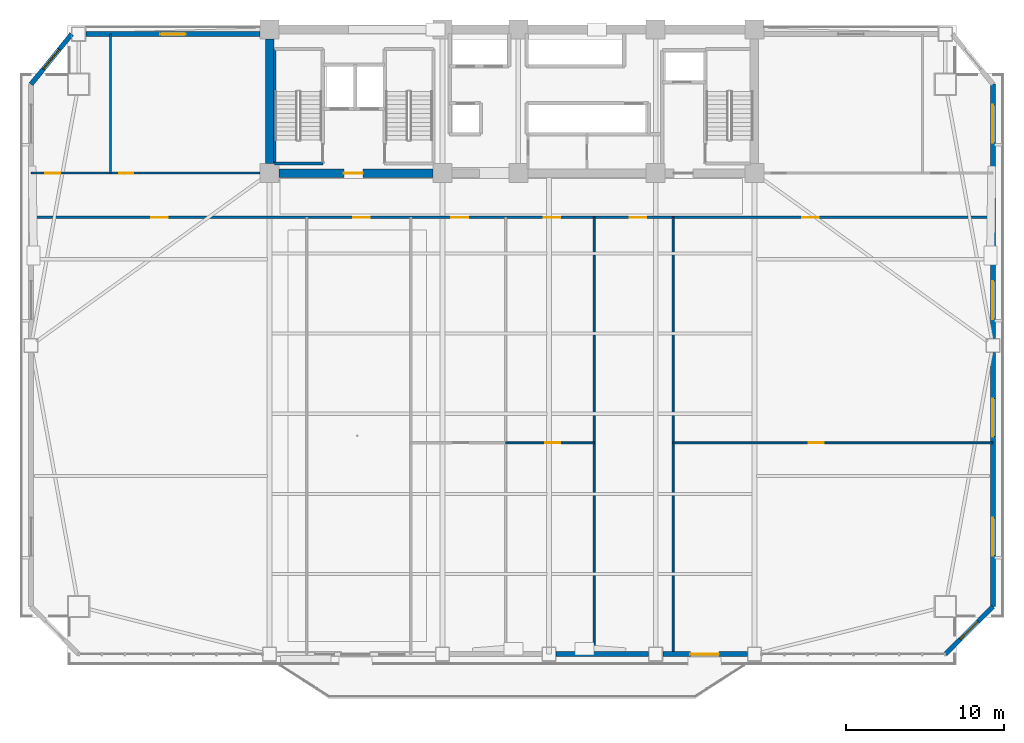
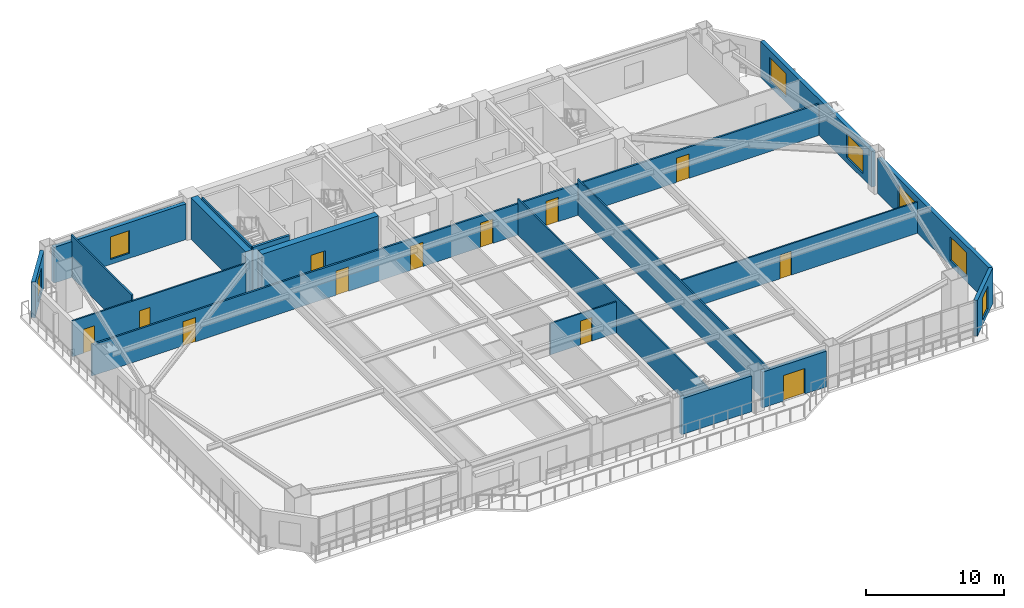
# One storey, part 8 of 15: 18 walls, 12 doors, 7 windows, 19 openings.
"""IFC4 building model written with IfcOpenShell, lengths in metres."""

import ifcopenshell
import ifcopenshell.guid

model = None  # the IFC model being written
_history = None  # IfcOwnerHistory: only IFC2X3 demands one
_inside = {}  # id of a spatial element -> (the spatial element, [elements in it])
_under = {}  # id of a project, library or spatial element -> (it, [spatial elements below it])
_declared = {}  # id of a project -> (the project, [libraries it declares])
_typed = {}  # id of a type object -> (the type object, [elements of that type])
_made_of = {}  # id of a material, layer set ... -> (it, [elements and type objects made of it])


def new_model(schema):
    """Start an empty IFC model of exactly this schema.

    Asked for "IFC4X3", IfcOpenShell would pick the latest addendum, in which some entities
    have other attributes; the version numbers below select the first issue.
    IFC2X3 requires an IfcOwnerHistory on every rooted entity: one is made here for all.
    """
    global model, _history
    if schema == "IFC4X3":
        model = ifcopenshell.file(schema_version=(4, 3, 0, 0))
    else:
        model = ifcopenshell.file(schema=schema)
    _inside.clear()
    _under.clear()
    _declared.clear()
    _typed.clear()
    _made_of.clear()
    _history = None
    if model.schema == "IFC2X3":
        org = make("IfcOrganization", Name="unknown")
        user = make(
            "IfcPersonAndOrganization",
            ThePerson=make("IfcPerson", FamilyName="unknown"),
            TheOrganization=org,
        )
        app = make(
            "IfcApplication",
            ApplicationDeveloper=org,
            Version="unknown",
            ApplicationFullName="unknown",
            ApplicationIdentifier="unknown",
        )
        _history = make(
            "IfcOwnerHistory",
            OwningUser=user,
            OwningApplication=app,
            ChangeAction="ADDED",
            CreationDate=0,
        )
    return model


def make(cls, **values):
    """One entity of the class cls with the attributes given. An attribute that is None is left unset."""
    return model.create_entity(
        cls, **{name: value for name, value in values.items() if value is not None}
    )


def rooted(cls, **values):
    """An entity with a GlobalId (a new one), such as an element, a storey or a relation."""
    return make(cls, GlobalId=ifcopenshell.guid.new(), OwnerHistory=_history, **values)


def si_unit(unit_type, name, prefix=None):
    """IfcSIUnit, for example si_unit("LENGTHUNIT", "METRE", prefix="MILLI")."""
    return make("IfcSIUnit", UnitType=unit_type, Prefix=prefix, Name=name)


def assignment(units):
    """IfcUnitAssignment: the units of a project."""
    return None if units is None else make("IfcUnitAssignment", Units=units)


def point(xyz):
    """IfcCartesianPoint."""
    return None if xyz is None else make("IfcCartesianPoint", Coordinates=xyz)


def direction(xyz):
    """IfcDirection."""
    return None if xyz is None else make("IfcDirection", DirectionRatios=xyz)


def frame(location, z_axis=None, x_axis=None):
    """IfcAxis2Placement3D, a coordinate frame: its origin and axes. An axis left out is left unset."""
    return make(
        "IfcAxis2Placement3D",
        Location=point(location),
        Axis=direction(z_axis),
        RefDirection=direction(x_axis),
    )


def frame_2d(location, x_axis=None):
    """IfcAxis2Placement2D, a coordinate frame in the plane: its origin and x axis."""
    return make(
        "IfcAxis2Placement2D", Location=point(location), RefDirection=direction(x_axis)
    )


def origin():
    """The frame at (0, 0, 0) with its axes left unset."""
    return frame((0.0, 0.0, 0.0))


def place(relative_to, where):
    """IfcLocalPlacement: puts the frame where relative to a parent placement (None: the world)."""
    return make(
        "IfcLocalPlacement", PlacementRelTo=relative_to, RelativePlacement=where
    )


def context(
    kind, dimensions, precision=None, world=None, true_north=None, identifier=None
):
    """IfcGeometricRepresentationContext, for example the 3D "Model" context."""
    return make(
        "IfcGeometricRepresentationContext",
        ContextIdentifier=identifier,
        ContextType=kind,
        CoordinateSpaceDimension=dimensions,
        Precision=precision,
        WorldCoordinateSystem=world,
        TrueNorth=true_north,
    )


def subcontext(parent, identifier, kind, view, scale=None):
    """IfcGeometricRepresentationSubContext, for example "Body" below "Model"."""
    return make(
        "IfcGeometricRepresentationSubContext",
        ContextIdentifier=identifier,
        ContextType=kind,
        ParentContext=parent,
        TargetScale=scale,
        TargetView=view,
    )


def project(units=None, contexts=None):
    """IfcProject with its units and contexts."""
    return rooted(
        "IfcProject",
        Name="project",
        RepresentationContexts=contexts,
        UnitsInContext=assignment(units),
    )


def spatial(cls, under=None, at=None, **own):
    """A site, building, storey or space (cls), placed at a placement, below another one or the project."""
    s = rooted(cls, ObjectPlacement=at, **own)
    if under is not None:
        _under.setdefault(under.id(), (under, []))[1].append(s)
    return s


def profile(cls, at=None, kind="AREA", **sizes):
    """A parametric profile (cls). Its sizes go by their IFC names, for example OverallWidth=200.0."""
    return make(cls, ProfileType=kind, Position=at, **sizes)


def rectangle(**sizes):
    """IfcRectangleProfileDef."""
    return profile("IfcRectangleProfileDef", **sizes)


def extrude(swept, where, along, depth):
    """IfcExtrudedAreaSolid: the profile swept, set in the frame where, extruded along a direction by depth."""
    return make(
        "IfcExtrudedAreaSolid",
        SweptArea=swept,
        Position=where,
        ExtrudedDirection=direction(along),
        Depth=depth,
    )


def shape(context_of_items, identifier, shape_type, items):
    """IfcShapeRepresentation: the items that make up one representation, for example the "Body"."""
    return make(
        "IfcShapeRepresentation",
        ContextOfItems=context_of_items,
        RepresentationIdentifier=identifier,
        RepresentationType=shape_type,
        Items=items,
    )


def source(mapping_origin, context_of_items, identifier, shape_type, items):
    """IfcRepresentationMap: a shape defined once, which mapped items show again and again."""
    return make(
        "IfcRepresentationMap",
        MappingOrigin=mapping_origin,
        MappedRepresentation=shape(context_of_items, identifier, shape_type, items),
    )


def transform(
    local_origin,
    x_axis=None,
    y_axis=None,
    z_axis=None,
    scale=None,
    scale2=None,
    scale3=None,
    uniform=True,
):
    """IfcCartesianTransformationOperator3D, or its non-uniform kind. x_axis, y_axis, z_axis: its Axis1, 2, 3."""
    if uniform:
        return make(
            "IfcCartesianTransformationOperator3D",
            Axis1=direction(x_axis),
            Axis2=direction(y_axis),
            LocalOrigin=point(local_origin),
            Scale=scale,
            Axis3=direction(z_axis),
        )
    return make(
        "IfcCartesianTransformationOperator3DnonUniform",
        Axis1=direction(x_axis),
        Axis2=direction(y_axis),
        LocalOrigin=point(local_origin),
        Scale=scale,
        Axis3=direction(z_axis),
        Scale2=scale2,
        Scale3=scale3,
    )


def mapped(mapping_source, mapping_target):
    """IfcMappedItem: shows the shape of a source again, moved by a transform."""
    return make(
        "IfcMappedItem", MappingSource=mapping_source, MappingTarget=mapping_target
    )


def material(Name=None, Category=None):
    """IfcMaterial."""
    return make("IfcMaterial", Name=Name, Category=Category)


def layer(
    of_material, thickness, ventilated=None, Name=None, Category=None, Priority=None
):
    """IfcMaterialLayer: one layer of a wall or slab, of a material (None: an air gap)."""
    return make(
        "IfcMaterialLayer",
        Material=of_material,
        LayerThickness=thickness,
        IsVentilated=ventilated,
        Name=Name,
        Category=Category,
        Priority=Priority,
    )


def layer_set(layers, Name=None):
    """IfcMaterialLayerSet."""
    return make("IfcMaterialLayerSet", MaterialLayers=layers, LayerSetName=Name)


def made_of(thing, what):
    """Note that an element or type object is made of a material, layer set ...; save() writes the relation."""
    if what is not None:
        _made_of.setdefault(what.id(), (what, []))[1].append(thing)
    return thing


def type_object(cls, material=None, **own):
    """A type object (cls), such as IfcWallType, which elements share."""
    return made_of(rooted(cls, **own), material)


def element(
    cls,
    number,
    at=None,
    inside=None,
    cuts=None,
    type_object=None,
    material=None,
    context=None,
    identifier="Body",
    shape_type=None,
    held_by="IfcProductDefinitionShape",
    body=None,
    shapes=None,
    **own,
):
    """One element of the class cls, such as IfcWall. Its Tag is "e" and its number.

    at: its placement. inside: the storey or other place that contains it. cuts: it is an
    opening in that element (IfcRelVoidsElement). A single representation is given by context,
    identifier, shape_type and body (its items); several are given by shapes. held_by: the class
    of the entity that holds the representations. save() writes the other relations.
    """
    e = rooted(cls, Tag="e%d" % number, ObjectPlacement=at, **own)
    if body is not None:
        shapes = [shape(context, identifier, shape_type, body)]
    if shapes is not None:
        e.Representation = make(held_by, Representations=shapes)
    if inside is not None:
        _inside.setdefault(inside.id(), (inside, []))[1].append(e)
    if cuts is not None:
        rooted(
            "IfcRelVoidsElement", RelatingBuildingElement=cuts, RelatedOpeningElement=e
        )
    if type_object is not None:
        _typed.setdefault(type_object.id(), (type_object, []))[1].append(e)
    return made_of(e, material)


def fill(opening, filler):
    """IfcRelFillsElement: the door or window that sits in an opening."""
    return rooted(
        "IfcRelFillsElement",
        RelatingOpeningElement=opening,
        RelatedBuildingElement=filler,
    )


def aggregate(whole, parts):
    """IfcRelAggregates: a whole, such as a stair, and the parts it consists of."""
    return rooted("IfcRelAggregates", RelatingObject=whole, RelatedObjects=parts)


def save(model, path):
    """Write the relations noted so far, then the file.

    IfcRelAggregates (storeys below a building ...), IfcRelContainedInSpatialStructure (elements
    in a storey), IfcRelDefinesByType, IfcRelAssociatesMaterial and IfcRelDeclares: one each for
    every whole, place, type object, material and project.
    """
    for whole, parts in _under.values():
        aggregate(whole, parts)
    for where, things in _inside.values():
        rooted(
            "IfcRelContainedInSpatialStructure",
            RelatedElements=things,
            RelatingStructure=where,
        )
    for kind, things in _typed.values():
        rooted("IfcRelDefinesByType", RelatedObjects=things, RelatingType=kind)
    for what, things in _made_of.values():
        rooted("IfcRelAssociatesMaterial", RelatedObjects=things, RelatingMaterial=what)
    for by, libraries in _declared.values():
        rooted("IfcRelDeclares", RelatingContext=by, RelatedDefinitions=libraries)
    model.write(path)


model = new_model("IFC4")

# Units and contexts
model_context = context("Model", 3, precision=1e-05, world=origin(), true_north=direction((0.0, 1.0)))
body_context = subcontext(model_context, "Body", "Model", "MODEL_VIEW")
ifc_project = project(units=[si_unit("LENGTHUNIT", "METRE"), si_unit("AREAUNIT", "SQUARE_METRE"), si_unit("VOLUMEUNIT", "CUBIC_METRE"), si_unit("PLANEANGLEUNIT", "RADIAN"), si_unit("MASSUNIT", "GRAM", prefix="KILO")], contexts=[model_context])

# Site, building, storey
site_placement = place(None, origin())
site = spatial("IfcSite", under=ifc_project, at=site_placement, CompositionType="ELEMENT")
building_placement = place(site_placement, origin())
building = spatial("IfcBuilding", under=site, at=building_placement, Name="Giltprow Tower", CompositionType="ELEMENT")
storey_placement = place(building_placement, frame((0.0, 0.0, 115.300048828125)))
storey = spatial("IfcBuildingStorey", under=building, at=storey_placement, Name="L28", CompositionType="ELEMENT", Elevation=115.300048828125)

# Wall, opening, window
ifc_material_1 = material(Name="Precast concrete C40", Category="concrete")
ifc_layer_1 = layer(ifc_material_1, 0.300048828125, Name="Precast concrete C40")
ifc_layer_set_1 = layer_set([ifc_layer_1], Name="Precast concrete C40")
wall_type_1 = type_object("IfcWallType", Name="EW-NOTCH-CHAMFER-300", PredefinedType="SOLIDWALL", material=ifc_layer_set_1)
wall_1_placement = place(storey_placement, frame((62.638916015625, 6.989990234375, 0.0), z_axis=(0.0, 0.0, 1.0), x_axis=(0.707106781187, 0.707106781187, 0.0)))
wall_1 = element("IfcWall", 1, at=wall_1_placement, inside=storey, type_object=wall_type_1, Name="L28 Corner Notch Wall SE", PredefinedType="SOLIDWALL", context=body_context, shape_type="SweptSolid", body=[
    extrude(rectangle(XDim=4.266845703125, YDim=0.300048828125, at=frame_2d((2.13330078125, 0.0))), origin(), (0.0, 0.0, 1.0), 3.159912109375),
])
opening_1_placement = place(wall_1_placement, frame((1.3330078125, 0.0, 0.449951171875)))
opening_1 = element("IfcOpeningElement", 2, at=opening_1_placement, cuts=wall_1, Name="Opening WN17", PredefinedType="OPENING", context=body_context, shape_type="SweptSolid", body=[
    extrude(rectangle(XDim=1.60009765625, YDim=2.0, at=frame_2d((0.800048828125, 1.0))), frame((0.0, 0.159912109375, 0.0), z_axis=(0.0, -1.0, 0.0), x_axis=(1.0, 0.0, 0.0)), (0.0, 0.0, 1.0), 0.320068359375),
])
ifc_material_2 = material(Name="Insulated glass", Category="glass")
window_type_1 = type_object("IfcWindowType", Name="WN-COR-1600x2000", PartitioningType="SINGLE_PANEL", PredefinedType="WINDOW", material=ifc_material_2)
shared_shape_1 = source(origin(), body_context, "Body", "SweptSolid", [
    extrude(rectangle(XDim=1.60009765625, YDim=2.0, at=frame_2d((0.800048828125, 1.0))), frame((0.0, 0.030029296875, 0.0), z_axis=(0.0, -1.0, 0.0), x_axis=(1.0, 0.0, 0.0)), (0.0, 0.0, 1.0), 0.06005859375),
])
window_1_placement = place(opening_1_placement, origin())
window_1 = element("IfcWindow", 3, at=window_1_placement, inside=storey, type_object=window_type_1, Name="L28 Corner Notch Window SE", OverallHeight=2.0, OverallWidth=1.60009765625, PartitioningType="SINGLE_PANEL", PredefinedType="WINDOW", context=body_context, shape_type="MappedRepresentation", body=[
    mapped(shared_shape_1, transform((0.0, 0.0, 0.0), x_axis=(1.0, 0.0, 0.0), y_axis=(0.0, 1.0, 0.0), z_axis=(0.0, 0.0, 1.0), scale=1.0)),
])
fill(opening_1, window_1)

wall_2_placement = place(storey_placement, frame((7.31103515625, 46.25, 0.0), z_axis=(0.0, 0.0, 1.0), x_axis=(-0.629699415949, -0.776838880047, 0.0)))
wall_2 = element("IfcWall", 4, at=wall_2_placement, inside=storey, type_object=wall_type_1, Name="L28 Corner Notch Wall NW", PredefinedType="SOLIDWALL", context=body_context, shape_type="SweptSolid", body=[
    extrude(rectangle(XDim=4.07666015625, YDim=0.300048828125, at=frame_2d((2.038330078125, 0.0))), origin(), (0.0, 0.0, 1.0), 3.159912109375),
])
opening_2_placement = place(wall_2_placement, frame((1.238037109375, 0.0, 0.449951171875)))
opening_2 = element("IfcOpeningElement", 5, at=opening_2_placement, cuts=wall_2, Name="Opening WN17", PredefinedType="OPENING", context=body_context, shape_type="SweptSolid", body=[
    extrude(rectangle(XDim=1.60009765625, YDim=2.0, at=frame_2d((0.800048828125, 1.0))), frame((0.0, 0.159912109375, 0.0), z_axis=(0.0, -1.0, 0.0), x_axis=(1.0, 0.0, 0.0)), (0.0, 0.0, 1.0), 0.320068359375),
])
window_2_placement = place(opening_2_placement, origin())
window_2 = element("IfcWindow", 6, at=window_2_placement, inside=storey, type_object=window_type_1, Name="L28 Corner Notch Window NW", OverallHeight=2.0, OverallWidth=1.60009765625, PartitioningType="SINGLE_PANEL", PredefinedType="WINDOW", context=body_context, shape_type="MappedRepresentation", body=[
    mapped(shared_shape_1, transform((0.0, 0.0, 0.0), x_axis=(1.0, 0.0, 0.0), y_axis=(0.0, 1.0, 0.0), z_axis=(0.0, 0.0, 1.0), scale=1.0)),
])
fill(opening_2, window_2)

# Wall
ifc_layer_2 = layer(ifc_material_1, 0.320068359375, Name="Precast concrete C40")
ifc_layer_set_2 = layer_set([ifc_layer_2], Name="Precast concrete C40")
wall_type_2 = type_object("IfcWallType", Name="EW-TOW-STONE-320", PredefinedType="SOLIDWALL", material=ifc_layer_set_2)
wall_3_placement = place(storey_placement, frame((38.0, 6.989990234375, 0.0), z_axis=(0.0, 0.0, 1.0), x_axis=(1.0, 0.0, 0.0)))
element("IfcWall", 7, at=wall_3_placement, inside=storey, type_object=wall_type_2, Name="L28 South Expressed Frame Wall 4", PredefinedType="SOLIDWALL", context=body_context, shape_type="SweptSolid", body=[
    extrude(rectangle(XDim=5.85009765625, YDim=0.320068359375, at=frame_2d((2.925048828125, 0.0))), origin(), (0.0, 0.0, 1.0), 3.159912109375),
])

# Wall, opening, door
wall_4_placement = place(storey_placement, frame((44.75, 6.989990234375, 0.0), z_axis=(0.0, 0.0, 1.0), x_axis=(1.0, 0.0, 0.0)))
wall_4 = element("IfcWall", 8, at=wall_4_placement, inside=storey, type_object=wall_type_2, Name="L28 South Expressed Frame Wall 5", PredefinedType="SOLIDWALL", context=body_context, shape_type="SweptSolid", body=[
    extrude(rectangle(XDim=5.35009765625, YDim=0.320068359375, at=frame_2d((2.675048828125, 0.0))), origin(), (0.0, 0.0, 1.0), 3.159912109375),
])
opening_3_placement = place(wall_4_placement, frame((1.75, 0.0, 0.0)))
opening_3 = element("IfcOpeningElement", 9, at=opening_3_placement, cuts=wall_4, Name="Opening ED25", PredefinedType="OPENING", context=body_context, shape_type="SweptSolid", body=[
    extrude(rectangle(XDim=1.800048828125, YDim=2.25, at=frame_2d((0.89990234375, 1.125))), frame((0.0, 0.169921875, 0.0), z_axis=(0.0, -1.0, 0.0), x_axis=(1.0, 0.0, 0.0)), (0.0, 0.0, 1.0), 0.340087890625),
])
ifc_material_3 = material(Name="Anodized bronze and glass", Category="glass")
door_type_1 = type_object("IfcDoorType", Name="DR-BALC-SLIDE-1800", OperationType="SLIDING_TO_LEFT", PredefinedType="DOOR", material=ifc_material_3)
shared_shape_2 = source(origin(), body_context, "Body", "SweptSolid", [
    extrude(rectangle(XDim=1.800048828125, YDim=2.25, at=frame_2d((0.89990234375, 1.125))), frame((0.0, 0.02490234375, 0.0), z_axis=(0.0, -1.0, 0.0), x_axis=(1.0, 0.0, 0.0)), (0.0, 0.0, 1.0), 0.050048828125),
])
door_1_placement = place(opening_3_placement, origin())
door_1 = element("IfcDoor", 10, at=door_1_placement, inside=storey, type_object=door_type_1, Name="L28 Waterfront Balcony Sliding Door 2", OperationType="SLIDING_TO_LEFT", OverallHeight=2.25, OverallWidth=1.800048828125, PredefinedType="DOOR", context=body_context, shape_type="MappedRepresentation", body=[
    mapped(shared_shape_2, transform((0.0, 0.0, 0.0), x_axis=(1.0, 0.0, 0.0), y_axis=(0.0, 1.0, 0.0), z_axis=(0.0, 0.0, 1.0), scale=1.0)),
])
fill(opening_3, door_1)

# Wall, openings, windows
wall_5_placement = place(storey_placement, frame((65.656005859375, 10.007080078125, 0.0), z_axis=(0.0, 0.0, 1.0), x_axis=(0.0, 1.0, 0.0)))
wall_5 = element("IfcWall", 11, at=wall_5_placement, inside=storey, type_object=wall_type_2, Name="L28 E Wing Masonry Wall 1", PredefinedType="SOLIDWALL", context=body_context, shape_type="SweptSolid", body=[
    extrude(rectangle(XDim=16.087890625, YDim=0.320068359375, at=frame_2d((8.0439453125, 0.0))), origin(), (0.0, 0.0, 1.0), 3.159912109375),
])
opening_4_placement = place(wall_5_placement, frame((3.222900390625, 0.0, 0.449951171875)))
opening_4 = element("IfcOpeningElement", 12, at=opening_4_placement, cuts=wall_5, Name="Opening WN29", PredefinedType="OPENING", context=body_context, shape_type="SweptSolid", body=[
    extrude(rectangle(XDim=2.39990234375, YDim=2.10009765625, at=frame_2d((1.199951171875, 1.050048828125))), frame((0.0, 0.169921875, 0.0), z_axis=(0.0, -1.0, 0.0), x_axis=(1.0, 0.0, 0.0)), (0.0, 0.0, 1.0), 0.340087890625),
])
opening_5_placement = place(wall_5_placement, frame((10.76708984375, 0.0, 0.449951171875)))
opening_5 = element("IfcOpeningElement", 13, at=opening_5_placement, cuts=wall_5, Name="Opening WN29", PredefinedType="OPENING", context=body_context, shape_type="SweptSolid", body=[
    extrude(rectangle(XDim=2.39990234375, YDim=2.10009765625, at=frame_2d((1.199951171875, 1.050048828125))), frame((0.0, 0.169921875, 0.0), z_axis=(0.0, -1.0, 0.0), x_axis=(1.0, 0.0, 0.0)), (0.0, 0.0, 1.0), 0.340087890625),
])
window_type_2 = type_object("IfcWindowType", Name="WN-OFF-2400x2100", PartitioningType="DOUBLE_PANEL_VERTICAL", PredefinedType="WINDOW", material=ifc_material_2)
shared_shape_3 = source(origin(), body_context, "Body", "SweptSolid", [
    extrude(rectangle(XDim=2.39990234375, YDim=2.10009765625, at=frame_2d((1.199951171875, 1.050048828125))), frame((0.0, 0.030029296875, 0.0), z_axis=(0.0, -1.0, 0.0), x_axis=(1.0, 0.0, 0.0)), (0.0, 0.0, 1.0), 0.06005859375),
])
window_3_placement = place(opening_4_placement, origin())
window_3 = element("IfcWindow", 14, at=window_3_placement, inside=storey, type_object=window_type_2, Name="L28 E Wing Window 1-1A", OverallHeight=2.10009765625, OverallWidth=2.39990234375, PartitioningType="SINGLE_PANEL", PredefinedType="WINDOW", context=body_context, shape_type="MappedRepresentation", body=[
    mapped(shared_shape_3, transform((0.0, 0.0, 0.0), x_axis=(1.0, 0.0, 0.0), y_axis=(0.0, 1.0, 0.0), z_axis=(0.0, 0.0, 1.0), scale=1.0)),
])
fill(opening_4, window_3)
window_4_placement = place(opening_5_placement, origin())
window_4 = element("IfcWindow", 15, at=window_4_placement, inside=storey, type_object=window_type_2, Name="L28 E Wing Window 1-1B", OverallHeight=2.10009765625, OverallWidth=2.39990234375, PartitioningType="SINGLE_PANEL", PredefinedType="WINDOW", context=body_context, shape_type="MappedRepresentation", body=[
    mapped(shared_shape_3, transform((0.0, 0.0, 0.0), x_axis=(1.0, 0.0, 0.0), y_axis=(0.0, 1.0, 0.0), z_axis=(0.0, 0.0, 1.0), scale=1.0)),
])
fill(opening_5, window_4)

wall_6_placement = place(storey_placement, frame((65.656005859375, 26.9951171875, 0.0), z_axis=(0.0, 0.0, 1.0), x_axis=(0.0, 1.0, 0.0)))
wall_6 = element("IfcWall", 16, at=wall_6_placement, inside=storey, type_object=wall_type_2, Name="L28 E Wing Masonry Wall 2", PredefinedType="SOLIDWALL", context=body_context, shape_type="SweptSolid", body=[
    extrude(rectangle(XDim=16.087890625, YDim=0.320068359375, at=frame_2d((8.0439453125, 0.0))), origin(), (0.0, 0.0, 1.0), 3.159912109375),
])
opening_6_placement = place(wall_6_placement, frame((1.219970703125, 0.0, 0.449951171875)))
opening_6 = element("IfcOpeningElement", 17, at=opening_6_placement, cuts=wall_6, Name="Opening WN29", PredefinedType="OPENING", context=body_context, shape_type="SweptSolid", body=[
    extrude(rectangle(XDim=2.39990234375, YDim=2.10009765625, at=frame_2d((1.199951171875, 1.050048828125))), frame((0.0, 0.169921875, 0.0), z_axis=(0.0, -1.0, 0.0), x_axis=(1.0, 0.0, 0.0)), (0.0, 0.0, 1.0), 0.340087890625),
])
opening_7_placement = place(wall_6_placement, frame((12.375, 0.0, 0.449951171875)))
opening_7 = element("IfcOpeningElement", 18, at=opening_7_placement, cuts=wall_6, Name="Opening WN29", PredefinedType="OPENING", context=body_context, shape_type="SweptSolid", body=[
    extrude(rectangle(XDim=2.39990234375, YDim=2.10009765625, at=frame_2d((1.199951171875, 1.050048828125))), frame((0.0, 0.169921875, 0.0), z_axis=(0.0, -1.0, 0.0), x_axis=(1.0, 0.0, 0.0)), (0.0, 0.0, 1.0), 0.340087890625),
])
window_5_placement = place(opening_6_placement, origin())
window_5 = element("IfcWindow", 19, at=window_5_placement, inside=storey, type_object=window_type_2, Name="L28 E Wing Window 2-1", OverallHeight=2.10009765625, OverallWidth=2.39990234375, PartitioningType="SINGLE_PANEL", PredefinedType="WINDOW", context=body_context, shape_type="MappedRepresentation", body=[
    mapped(shared_shape_3, transform((0.0, 0.0, 0.0), x_axis=(1.0, 0.0, 0.0), y_axis=(0.0, 1.0, 0.0), z_axis=(0.0, 0.0, 1.0), scale=1.0)),
])
fill(opening_6, window_5)
window_6_placement = place(opening_7_placement, origin())
window_6 = element("IfcWindow", 20, at=window_6_placement, inside=storey, type_object=window_type_2, Name="L28 E Wing Window 2-2", OverallHeight=2.10009765625, OverallWidth=2.39990234375, PartitioningType="SINGLE_PANEL", PredefinedType="WINDOW", context=body_context, shape_type="MappedRepresentation", body=[
    mapped(shared_shape_3, transform((0.0, 0.0, 0.0), x_axis=(1.0, 0.0, 0.0), y_axis=(0.0, 1.0, 0.0), z_axis=(0.0, 0.0, 1.0), scale=1.0)),
])
fill(opening_7, window_6)

# Wall, opening, window
wall_7_placement = place(storey_placement, frame((8.2109375, 46.25, 0.0), z_axis=(0.0, 0.0, 1.0), x_axis=(1.0, 0.0, 0.0)))
wall_7 = element("IfcWall", 21, at=wall_7_placement, inside=storey, type_object=wall_type_2, Name="L28 North-West Wing Wall", PredefinedType="SOLIDWALL", context=body_context, shape_type="SweptSolid", body=[
    extrude(rectangle(XDim=11.0390625, YDim=0.320068359375, at=frame_2d((5.51953125, 0.0))), origin(), (0.0, 0.0, 1.0), 3.159912109375),
])
opening_8_placement = place(wall_7_placement, frame((4.719970703125, 0.0, 0.449951171875)))
opening_8 = element("IfcOpeningElement", 22, at=opening_8_placement, cuts=wall_7, Name="Opening WN17", PredefinedType="OPENING", context=body_context, shape_type="SweptSolid", body=[
    extrude(rectangle(XDim=1.60009765625, YDim=2.0, at=frame_2d((0.800048828125, 1.0))), frame((0.0, 0.169921875, 0.0), z_axis=(0.0, -1.0, 0.0), x_axis=(1.0, 0.0, 0.0)), (0.0, 0.0, 1.0), 0.340087890625),
])
window_7_placement = place(opening_8_placement, origin())
window_7 = element("IfcWindow", 23, at=window_7_placement, inside=storey, type_object=window_type_1, Name="L28 North-West Window", OverallHeight=2.0, OverallWidth=1.60009765625, PartitioningType="SINGLE_PANEL", PredefinedType="WINDOW", context=body_context, shape_type="MappedRepresentation", body=[
    mapped(shared_shape_1, transform((0.0, 0.0, 0.0), x_axis=(1.0, 0.0, 0.0), y_axis=(0.0, 1.0, 0.0), z_axis=(0.0, 0.0, 1.0), scale=1.0)),
])
fill(opening_8, window_7)

# Wall, openings, doors
ifc_material_4 = material(Name="Gypsum stud partition", Category="gypsum")
ifc_layer_3 = layer(ifc_material_4, 0.14990234375, Name="Gypsum stud partition")
ifc_layer_set_3 = layer_set([ifc_layer_3], Name="Gypsum stud partition")
wall_type_3 = type_object("IfcWallType", Name="IW-CORR-150", PredefinedType="PARTITIONING", material=ifc_layer_set_3)
wall_8_placement = place(storey_placement, frame((4.743896484375, 34.64990234375, 0.0), z_axis=(0.0, 0.0, 1.0), x_axis=(1.0, 0.0, 0.0)))
wall_8 = element("IfcWall", 24, at=wall_8_placement, inside=storey, type_object=wall_type_3, Name="L28 Office Loop Corridor Wall", PredefinedType="PARTITIONING", context=body_context, shape_type="SweptSolid", body=[
    extrude(rectangle(XDim=60.912109375, YDim=0.14990234375, at=frame_2d((30.4560546875, 0.0))), origin(), (0.0, 0.0, 1.0), 2.764892578125),
])
opening_9_placement = place(wall_8_placement, frame((7.610107421875, 0.0, 0.0)))
opening_9 = element("IfcOpeningElement", 25, at=opening_9_placement, cuts=wall_8, Name="Opening ID31", PredefinedType="OPENING", context=body_context, shape_type="SweptSolid", body=[
    extrude(rectangle(XDim=1.050048828125, YDim=2.14990234375, at=frame_2d((0.52490234375, 1.074951171875))), frame((0.0, 0.0849609375, 0.0), z_axis=(0.0, -1.0, 0.0), x_axis=(1.0, 0.0, 0.0)), (0.0, 0.0, 1.0), 0.169921875),
])
opening_10_placement = place(wall_8_placement, frame((20.39111328125, 0.0, 0.0)))
opening_10 = element("IfcOpeningElement", 26, at=opening_10_placement, cuts=wall_8, Name="Opening ID31", PredefinedType="OPENING", context=body_context, shape_type="SweptSolid", body=[
    extrude(rectangle(XDim=1.050048828125, YDim=2.14990234375, at=frame_2d((0.52490234375, 1.074951171875))), frame((0.0, 0.0849609375, 0.0), z_axis=(0.0, -1.0, 0.0), x_axis=(1.0, 0.0, 0.0)), (0.0, 0.0, 1.0), 0.169921875),
])
opening_11_placement = place(wall_8_placement, frame((26.6220703125, 0.0, 0.0)))
opening_11 = element("IfcOpeningElement", 27, at=opening_11_placement, cuts=wall_8, Name="Opening ID31", PredefinedType="OPENING", context=body_context, shape_type="SweptSolid", body=[
    extrude(rectangle(XDim=1.050048828125, YDim=2.14990234375, at=frame_2d((0.52490234375, 1.074951171875))), frame((0.0, 0.0849609375, 0.0), z_axis=(0.0, -1.0, 0.0), x_axis=(1.0, 0.0, 0.0)), (0.0, 0.0, 1.0), 0.169921875),
])
opening_12_placement = place(wall_8_placement, frame((32.4619140625, 0.0, 0.0)))
opening_12 = element("IfcOpeningElement", 28, at=opening_12_placement, cuts=wall_8, Name="Opening ID31", PredefinedType="OPENING", context=body_context, shape_type="SweptSolid", body=[
    extrude(rectangle(XDim=1.050048828125, YDim=2.14990234375, at=frame_2d((0.52490234375, 1.074951171875))), frame((0.0, 0.0849609375, 0.0), z_axis=(0.0, -1.0, 0.0), x_axis=(1.0, 0.0, 0.0)), (0.0, 0.0, 1.0), 0.169921875),
])
opening_13_placement = place(wall_8_placement, frame((37.9189453125, 0.0, 0.0)))
opening_13 = element("IfcOpeningElement", 29, at=opening_13_placement, cuts=wall_8, Name="Opening ID31", PredefinedType="OPENING", context=body_context, shape_type="SweptSolid", body=[
    extrude(rectangle(XDim=1.050048828125, YDim=2.14990234375, at=frame_2d((0.52490234375, 1.074951171875))), frame((0.0, 0.0849609375, 0.0), z_axis=(0.0, -1.0, 0.0), x_axis=(1.0, 0.0, 0.0)), (0.0, 0.0, 1.0), 0.169921875),
])
opening_14_placement = place(wall_8_placement, frame((48.843994140625, 0.0, 0.0)))
opening_14 = element("IfcOpeningElement", 30, at=opening_14_placement, cuts=wall_8, Name="Opening ID31", PredefinedType="OPENING", context=body_context, shape_type="SweptSolid", body=[
    extrude(rectangle(XDim=1.050048828125, YDim=2.14990234375, at=frame_2d((0.52490234375, 1.074951171875))), frame((0.0, 0.0849609375, 0.0), z_axis=(0.0, -1.0, 0.0), x_axis=(1.0, 0.0, 0.0)), (0.0, 0.0, 1.0), 0.169921875),
])
ifc_material_5 = material(Name="Engineered timber", Category="wood")
door_type_2 = type_object("IfcDoorType", Name="DR-SUITE-1050", OperationType="SINGLE_SWING_LEFT", PredefinedType="DOOR", material=ifc_material_5)
shared_shape_4 = source(origin(), body_context, "Body", "SweptSolid", [
    extrude(rectangle(XDim=1.050048828125, YDim=2.14990234375, at=frame_2d((0.52490234375, 1.074951171875))), frame((0.0, 0.02490234375, 0.0), z_axis=(0.0, -1.0, 0.0), x_axis=(1.0, 0.0, 0.0)), (0.0, 0.0, 1.0), 0.050048828125),
])
door_2_placement = place(opening_9_placement, origin())
door_2 = element("IfcDoor", 31, at=door_2_placement, inside=storey, type_object=door_type_2, Name="L28 Engineering Office 1 Door", OperationType="SINGLE_SWING_LEFT", OverallHeight=2.14990234375, OverallWidth=1.050048828125, PredefinedType="DOOR", context=body_context, shape_type="MappedRepresentation", body=[
    mapped(shared_shape_4, transform((0.0, 0.0, 0.0), x_axis=(1.0, 0.0, 0.0), y_axis=(0.0, 1.0, 0.0), z_axis=(0.0, 0.0, 1.0), scale=1.0)),
])
fill(opening_9, door_2)
door_3_placement = place(opening_10_placement, origin())
door_3 = element("IfcDoor", 32, at=door_3_placement, inside=storey, type_object=door_type_2, Name="L28 Dining Kitchen 1 Door", OperationType="SINGLE_SWING_RIGHT", OverallHeight=2.14990234375, OverallWidth=1.050048828125, PredefinedType="DOOR", context=body_context, shape_type="MappedRepresentation", body=[
    mapped(shared_shape_4, transform((0.0, 0.0, 0.0), x_axis=(1.0, 0.0, 0.0), y_axis=(0.0, 1.0, 0.0), z_axis=(0.0, 0.0, 1.0), scale=1.0)),
])
fill(opening_10, door_3)
door_4_placement = place(opening_11_placement, origin())
door_4 = element("IfcDoor", 33, at=door_4_placement, inside=storey, type_object=door_type_2, Name="L28 Suite Reception Foyer Door", OperationType="SINGLE_SWING_LEFT", OverallHeight=2.14990234375, OverallWidth=1.050048828125, PredefinedType="DOOR", context=body_context, shape_type="MappedRepresentation", body=[
    mapped(shared_shape_4, transform((0.0, 0.0, 0.0), x_axis=(1.0, 0.0, 0.0), y_axis=(0.0, 1.0, 0.0), z_axis=(0.0, 0.0, 1.0), scale=1.0)),
])
fill(opening_11, door_4)
door_5_placement = place(opening_12_placement, origin())
door_5 = element("IfcDoor", 34, at=door_5_placement, inside=storey, type_object=door_type_2, Name="L28 Suite Reception Foyer Door", OperationType="SINGLE_SWING_LEFT", OverallHeight=2.14990234375, OverallWidth=1.050048828125, PredefinedType="DOOR", context=body_context, shape_type="MappedRepresentation", body=[
    mapped(shared_shape_4, transform((0.0, 0.0, 0.0), x_axis=(1.0, 0.0, 0.0), y_axis=(0.0, 1.0, 0.0), z_axis=(0.0, 0.0, 1.0), scale=1.0)),
])
fill(opening_12, door_5)
door_6_placement = place(opening_13_placement, origin())
door_6 = element("IfcDoor", 35, at=door_6_placement, inside=storey, type_object=door_type_2, Name="L28 Planning Office 3 Door", OperationType="SINGLE_SWING_LEFT", OverallHeight=2.14990234375, OverallWidth=1.050048828125, PredefinedType="DOOR", context=body_context, shape_type="MappedRepresentation", body=[
    mapped(shared_shape_4, transform((0.0, 0.0, 0.0), x_axis=(1.0, 0.0, 0.0), y_axis=(0.0, 1.0, 0.0), z_axis=(0.0, 0.0, 1.0), scale=1.0)),
])
fill(opening_13, door_6)
door_7_placement = place(opening_14_placement, origin())
door_7 = element("IfcDoor", 36, at=door_7_placement, inside=storey, type_object=door_type_2, Name="L28 Suite Reception Foyer Door", OperationType="SINGLE_SWING_RIGHT", OverallHeight=2.14990234375, OverallWidth=1.050048828125, PredefinedType="DOOR", context=body_context, shape_type="MappedRepresentation", body=[
    mapped(shared_shape_4, transform((0.0, 0.0, 0.0), x_axis=(1.0, 0.0, 0.0), y_axis=(0.0, 1.0, 0.0), z_axis=(0.0, 0.0, 1.0), scale=1.0)),
])
fill(opening_14, door_7)

# Wall, opening, door
ifc_layer_4 = layer(ifc_material_4, 0.1201171875, Name="Gypsum stud partition")
ifc_layer_set_4 = layer_set([ifc_layer_4], Name="Gypsum stud partition")
wall_type_4 = type_object("IfcWallType", Name="IW-ROOM-120", PredefinedType="PARTITIONING", material=ifc_layer_set_4)
wall_9_placement = place(storey_placement, frame((34.800048828125, 20.37109375, 0.0), z_axis=(0.0, 0.0, 1.0), x_axis=(1.0, 0.0, 0.0)))
wall_9 = element("IfcWall", 37, at=wall_9_placement, inside=storey, type_object=wall_type_4, Name="L28 Office Mid Wall 4", PredefinedType="PARTITIONING", context=body_context, shape_type="SweptSolid", body=[
    extrude(rectangle(XDim=5.599853515625, YDim=0.1201171875, at=frame_2d((2.7998046875, 0.0))), origin(), (0.0, 0.0, 1.0), 2.764892578125),
])
opening_15_placement = place(wall_9_placement, frame((2.514892578125, 0.0, 0.0)))
opening_15 = element("IfcOpeningElement", 38, at=opening_15_placement, cuts=wall_9, Name="Opening ID11", PredefinedType="OPENING", context=body_context, shape_type="SweptSolid", body=[
    extrude(rectangle(XDim=0.949951171875, YDim=2.10009765625, at=frame_2d((0.47509765625, 1.050048828125))), frame((0.0, 0.070068359375, 0.0), z_axis=(0.0, -1.0, 0.0), x_axis=(1.0, 0.0, 0.0)), (0.0, 0.0, 1.0), 0.14013671875),
])
door_type_3 = type_object("IfcDoorType", Name="DR-ROOM-950", OperationType="SINGLE_SWING_RIGHT", PredefinedType="DOOR", material=ifc_material_5)
shared_shape_5 = source(origin(), body_context, "Body", "SweptSolid", [
    extrude(rectangle(XDim=0.949951171875, YDim=2.10009765625, at=frame_2d((0.47509765625, 1.050048828125))), frame((0.0, 0.02490234375, 0.0), z_axis=(0.0, -1.0, 0.0), x_axis=(1.0, 0.0, 0.0)), (0.0, 0.0, 1.0), 0.050048828125),
])
door_8_placement = place(opening_15_placement, origin())
door_8 = element("IfcDoor", 39, at=door_8_placement, inside=storey, type_object=door_type_3, Name="L28 Bistro Kitchen 2 Inner Door", OperationType="SINGLE_SWING_RIGHT", OverallHeight=2.10009765625, OverallWidth=0.949951171875, PredefinedType="DOOR", context=body_context, shape_type="MappedRepresentation", body=[
    mapped(shared_shape_5, transform((0.0, 0.0, 0.0), x_axis=(1.0, 0.0, 0.0), y_axis=(0.0, 1.0, 0.0), z_axis=(0.0, 0.0, 1.0), scale=1.0)),
])
fill(opening_15, door_8)

# Walls
for number, where, z_axis, x_axis, name in (
    (40, (40.39990234375, 6.989990234375, 0.0), (0.0, 0.0, 1.0), (0.0, 1.0, 0.0), "L28 Office Partition 4"),
    (41, (45.39990234375, 6.989990234375, 0.0), (0.0, 0.0, 1.0), (0.0, 1.0, 0.0), "L28 Office Partition 5"),
):
    element("IfcWall", number, at=place(storey_placement, frame(where, z_axis=z_axis, x_axis=x_axis)), inside=storey, type_object=wall_type_4, Name=name, PredefinedType="PARTITIONING", context=body_context, shape_type="SweptSolid", body=[
        extrude(rectangle(XDim=27.659912109375, YDim=0.1201171875, at=frame_2d((13.830078125, 0.0))), origin(), (0.0, 0.0, 1.0), 3.1650390625),
    ])

# Wall, opening, door
wall_10_placement = place(storey_placement, frame((45.39990234375, 20.37109375, 0.0), z_axis=(0.0, 0.0, 1.0), x_axis=(1.0, 0.0, 0.0)))
wall_10 = element("IfcWall", 42, at=wall_10_placement, inside=storey, type_object=wall_type_4, Name="L28 Office Mid Wall 6", PredefinedType="PARTITIONING", context=body_context, shape_type="SweptSolid", body=[
    extrude(rectangle(XDim=20.256103515625, YDim=0.1201171875, at=frame_2d((10.1279296875, 0.0))), origin(), (0.0, 0.0, 1.0), 2.764892578125),
])
opening_16_placement = place(wall_10_placement, frame((8.5859375, 0.0, 0.0)))
opening_16 = element("IfcOpeningElement", 43, at=opening_16_placement, cuts=wall_10, Name="Opening ID11", PredefinedType="OPENING", context=body_context, shape_type="SweptSolid", body=[
    extrude(rectangle(XDim=0.949951171875, YDim=2.10009765625, at=frame_2d((0.47509765625, 1.050048828125))), frame((0.0, 0.070068359375, 0.0), z_axis=(0.0, -1.0, 0.0), x_axis=(1.0, 0.0, 0.0)), (0.0, 0.0, 1.0), 0.14013671875),
])
door_9_placement = place(opening_16_placement, origin())
door_9 = element("IfcDoor", 44, at=door_9_placement, inside=storey, type_object=door_type_3, Name="L28 Pantry Kitchen 3 Inner Door", OperationType="SINGLE_SWING_LEFT", OverallHeight=2.10009765625, OverallWidth=0.949951171875, PredefinedType="DOOR", context=body_context, shape_type="MappedRepresentation", body=[
    mapped(shared_shape_5, transform((0.0, 0.0, 0.0), x_axis=(1.0, 0.0, 0.0), y_axis=(0.0, 1.0, 0.0), z_axis=(0.0, 0.0, 1.0), scale=1.0)),
])
fill(opening_16, door_9)

# Walls
ifc_material_6 = material(Name="Concrete C45", Category="concrete")
ifc_layer_5 = layer(ifc_material_6, 0.139892578125, Name="Concrete C45")
ifc_layer_set_5 = layer_set([ifc_layer_5], Name="Concrete C45")
wall_type_5 = type_object("IfcWallType", Name="IW-STAIR-140", PredefinedType="SOLIDWALL", material=ifc_layer_set_5)
wall_11_placement = place(storey_placement, frame((20.169921875, 38.070068359375, 0.0), z_axis=(0.0, 0.0, 1.0), x_axis=(0.0, 1.0, 0.0)))
element("IfcWall", 45, at=wall_11_placement, inside=storey, type_object=wall_type_5, Name="L28 Stair ST-1 West Bearing Wall", PredefinedType="SOLIDWALL", context=body_context, shape_type="SweptSolid", body=[
    extrude(rectangle(XDim=7.25, YDim=0.139892578125, at=frame_2d((3.625, 0.0))), origin(), (0.0, 0.0, 1.0), 3.89990234375),
])
ifc_material_7 = material(Name="Concrete C40", Category="concrete")
ifc_layer_6 = layer(ifc_material_7, 0.199951171875, Name="Concrete C40")
ifc_layer_set_6 = layer_set([ifc_layer_6], Name="Concrete C40")
wall_type_6 = type_object("IfcWallType", Name="IW-STAIR-200", PredefinedType="SOLIDWALL", material=ifc_layer_set_6)
wall_12_placement = place(storey_placement, frame((20.169921875, 38.070068359375, 0.0), z_axis=(0.0, 0.0, 1.0), x_axis=(1.0, 0.0, 0.0)))
element("IfcWall", 46, at=wall_12_placement, inside=storey, type_object=wall_type_6, Name="L28 Stair ST-1 South Bearing Wall", PredefinedType="SOLIDWALL", context=body_context, shape_type="SweptSolid", body=[
    extrude(rectangle(XDim=3.050048828125, YDim=0.199951171875, at=frame_2d((1.52490234375, 0.0))), origin(), (0.0, 0.0, 1.0), 3.89990234375),
])

# Wall, openings, doors
ifc_material_8 = material(Name="Concrete C30", Category="concrete")
ifc_layer_7 = layer(ifc_material_8, 0.1298828125, Name="Concrete C30")
ifc_layer_set_7 = layer_set([ifc_layer_7], Name="Concrete C30")
wall_type_7 = type_object("IfcWallType", Name="IW-WET-130", PredefinedType="PARTITIONING", material=ifc_layer_set_7)
wall_13_placement = place(storey_placement, frame((4.743896484375, 37.449951171875, 0.0), z_axis=(0.0, 0.0, 1.0), x_axis=(1.0, 0.0, 0.0)))
wall_13 = element("IfcWall", 47, at=wall_13_placement, inside=storey, type_object=wall_type_7, Name="L28 NW Wing South Wall", PredefinedType="PARTITIONING", context=body_context, shape_type="SweptSolid", body=[
    extrude(rectangle(XDim=14.506103515625, YDim=0.1298828125, at=frame_2d((7.2529296875, 0.0))), origin(), (0.0, 0.0, 1.0), 3.1650390625),
])
opening_17_placement = place(wall_13_placement, frame((0.89990234375, 0.0, 0.0)))
opening_17 = element("IfcOpeningElement", 48, at=opening_17_placement, cuts=wall_13, Name="Opening ID11", PredefinedType="OPENING", context=body_context, shape_type="SweptSolid", body=[
    extrude(rectangle(XDim=0.949951171875, YDim=2.10009765625, at=frame_2d((0.47509765625, 1.050048828125))), frame((0.0, 0.074951171875, 0.0), z_axis=(0.0, -1.0, 0.0), x_axis=(1.0, 0.0, 0.0)), (0.0, 0.0, 1.0), 0.14990234375),
])
opening_18_placement = place(wall_13_placement, frame((5.580078125, 0.0, 0.0)))
opening_18 = element("IfcOpeningElement", 49, at=opening_18_placement, cuts=wall_13, Name="Opening ID15", PredefinedType="OPENING", context=body_context, shape_type="SweptSolid", body=[
    extrude(rectangle(XDim=0.89990234375, YDim=2.10009765625, at=frame_2d((0.449951171875, 1.050048828125))), frame((0.0, 0.074951171875, 0.0), z_axis=(0.0, -1.0, 0.0), x_axis=(1.0, 0.0, 0.0)), (0.0, 0.0, 1.0), 0.14990234375),
])
door_type_4 = type_object("IfcDoorType", Name="DR-WC-900", OperationType="SINGLE_SWING_LEFT", PredefinedType="DOOR", material=ifc_material_5)
shared_shape_6 = source(origin(), body_context, "Body", "SweptSolid", [
    extrude(rectangle(XDim=0.89990234375, YDim=2.10009765625, at=frame_2d((0.449951171875, 1.050048828125))), frame((0.0, 0.02490234375, 0.0), z_axis=(0.0, -1.0, 0.0), x_axis=(1.0, 0.0, 0.0)), (0.0, 0.0, 1.0), 0.050048828125),
])
door_10_placement = place(opening_18_placement, origin())
door_10 = element("IfcDoor", 50, at=door_10_placement, inside=storey, type_object=door_type_4, Name="L28 NW Washroom Door", OperationType="SINGLE_SWING_LEFT", OverallHeight=2.10009765625, OverallWidth=0.89990234375, PredefinedType="DOOR", context=body_context, shape_type="MappedRepresentation", body=[
    mapped(shared_shape_6, transform((0.0, 0.0, 0.0), x_axis=(1.0, 0.0, 0.0), y_axis=(0.0, 1.0, 0.0), z_axis=(0.0, 0.0, 1.0), scale=1.0)),
])
fill(opening_18, door_10)
door_11_placement = place(opening_17_placement, origin())
door_11 = element("IfcDoor", 51, at=door_11_placement, inside=storey, type_object=door_type_3, Name="L28 West Tenant Office West Door", OperationType="SINGLE_SWING_RIGHT", OverallHeight=2.10009765625, OverallWidth=0.949951171875, PredefinedType="DOOR", context=body_context, shape_type="MappedRepresentation", body=[
    mapped(shared_shape_5, transform((0.0, 0.0, 0.0), x_axis=(1.0, 0.0, 0.0), y_axis=(0.0, 1.0, 0.0), z_axis=(0.0, 0.0, 1.0), scale=1.0)),
])
fill(opening_17, door_11)

# Wall
wall_14_placement = place(storey_placement, frame((9.77392578125, 37.449951171875, 0.0), z_axis=(0.0, 0.0, 1.0), x_axis=(0.0, 1.0, 0.0)))
element("IfcWall", 52, at=wall_14_placement, inside=storey, type_object=wall_type_7, Name="L28 NW Wing Divider", PredefinedType="PARTITIONING", context=body_context, shape_type="SweptSolid", body=[
    extrude(rectangle(XDim=8.800048828125, YDim=0.1298828125, at=frame_2d((4.39990234375, 0.0))), origin(), (0.0, 0.0, 1.0), 3.679931640625),
])

# Wall, opening, door
ifc_material_9 = material(Name="Concrete C60", Category="concrete")
ifc_layer_8 = layer(ifc_material_9, 0.550048828125, Name="Concrete C60")
ifc_layer_set_8 = layer_set([ifc_layer_8], Name="Concrete C60")
wall_type_8 = type_object("IfcWallType", Name="SW-INT-550-C60", PredefinedType="SHEAR", material=ifc_layer_set_8)
wall_15_placement = place(storey_placement, frame((20.449951171875, 37.449951171875, 0.0), z_axis=(0.0, 0.0, 1.0), x_axis=(1.0, 0.0, 0.0)))
wall_15 = element("IfcWall", 53, at=wall_15_placement, inside=storey, type_object=wall_type_8, Name="L28 South Rear Core Shear Wall West", PredefinedType="SHEAR", context=body_context, shape_type="SweptSolid", body=[
    extrude(rectangle(XDim=9.75, YDim=0.550048828125, at=frame_2d((4.875, 0.0))), origin(), (0.0, 0.0, 1.0), 3.679931640625),
])
opening_19_placement = place(wall_15_placement, frame((4.10009765625, 0.0, 0.0)))
opening_19 = element("IfcOpeningElement", 54, at=opening_19_placement, cuts=wall_15, Name="Opening ID19", PredefinedType="OPENING", context=body_context, shape_type="SweptSolid", body=[
    extrude(rectangle(XDim=1.199951171875, YDim=2.14990234375, at=frame_2d((0.60009765625, 1.074951171875))), frame((0.0, 0.284912109375, 0.0), z_axis=(0.0, -1.0, 0.0), x_axis=(1.0, 0.0, 0.0)), (0.0, 0.0, 1.0), 0.570068359375),
])
ifc_material_10 = material(Name="Steel fire leaf", Category="steel")
door_type_5 = type_object("IfcDoorType", Name="DR-FFLOBBY-1200", OperationType="SINGLE_SWING_RIGHT", PredefinedType="DOOR", material=ifc_material_10)
shared_shape_7 = source(origin(), body_context, "Body", "SweptSolid", [
    extrude(rectangle(XDim=1.199951171875, YDim=2.14990234375, at=frame_2d((0.60009765625, 1.074951171875))), frame((0.0, 0.02490234375, 0.0), z_axis=(0.0, -1.0, 0.0), x_axis=(1.0, 0.0, 0.0)), (0.0, 0.0, 1.0), 0.050048828125),
])
door_12_placement = place(opening_19_placement, origin())
door_12 = element("IfcDoor", 55, at=door_12_placement, inside=storey, type_object=door_type_5, Name="L28 West Firefighting Lobby Entry Door", OperationType="SINGLE_SWING_LEFT", OverallHeight=2.14990234375, OverallWidth=1.199951171875, PredefinedType="DOOR", context=body_context, shape_type="MappedRepresentation", body=[
    mapped(shared_shape_7, transform((0.0, 0.0, 0.0), x_axis=(1.0, 0.0, 0.0), y_axis=(0.0, 1.0, 0.0), z_axis=(0.0, 0.0, 1.0), scale=1.0)),
])
fill(opening_19, door_12)

# Wall
wall_16_placement = place(storey_placement, frame((19.85009765625, 38.050048828125, 0.0), z_axis=(0.0, 0.0, 1.0), x_axis=(0.0, 1.0, 0.0)))
element("IfcWall", 56, at=wall_16_placement, inside=storey, type_object=wall_type_8, Name="L28 W Rear Core Shear Wall", PredefinedType="SHEAR", context=body_context, shape_type="SweptSolid", body=[
    extrude(rectangle(XDim=7.89990234375, YDim=0.550048828125, at=frame_2d((3.949951171875, 0.0))), origin(), (0.0, 0.0, 1.0), 3.679931640625),
])

save(model, "model.ifc")
